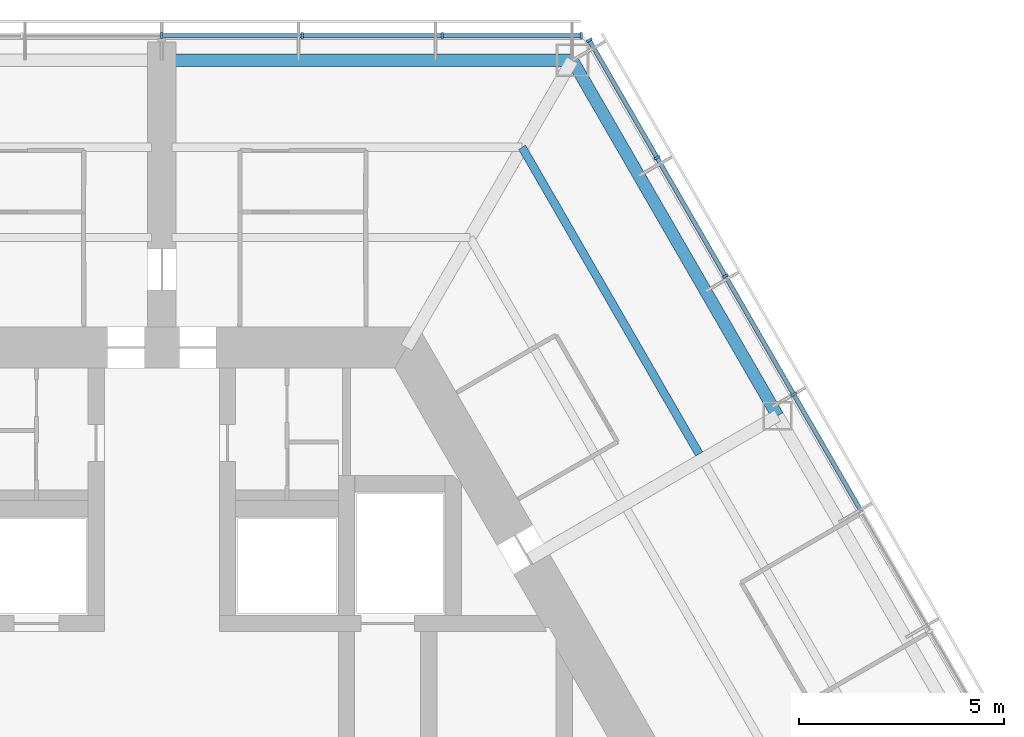
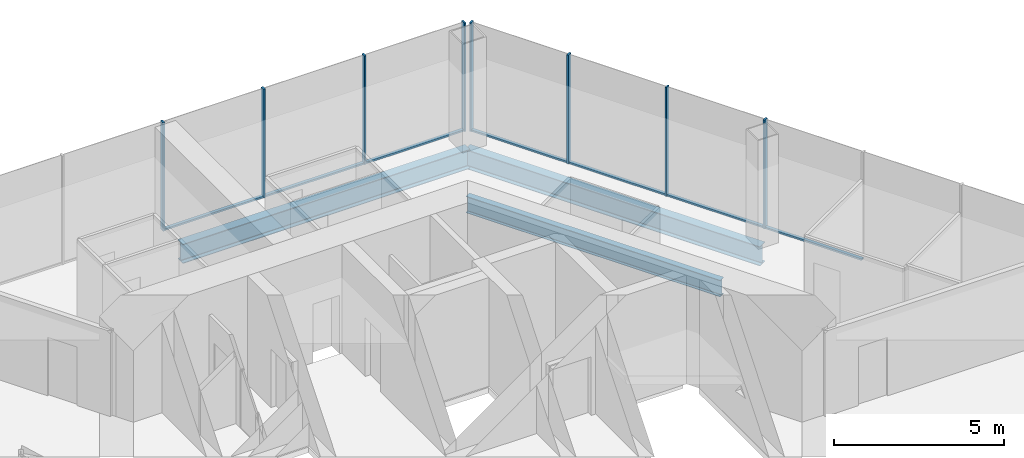
# One storey, part 8 of 18: 15 members, 3 beams, 2 elements without a shape of their own.
"""IFC4 building model written with IfcOpenShell, lengths in metres."""

from ifc_helpers import new_model, si_unit, direction, frame, origin, origin_2d, place, context, subcontext, project, spatial, rectangle, i_section, extrude, material, material_profile, profile_set, type_object, element, aggregate, save


model = new_model("IFC4")

# Units and contexts
model_context = context("Model", 3, precision=1e-05, world=origin(), true_north=direction((0.0, 1.0)))
body_context = subcontext(model_context, "Body", "Model", "MODEL_VIEW")
ifc_project = project(units=[si_unit("LENGTHUNIT", "METRE"), si_unit("AREAUNIT", "SQUARE_METRE"), si_unit("VOLUMEUNIT", "CUBIC_METRE"), si_unit("PLANEANGLEUNIT", "RADIAN"), si_unit("MASSUNIT", "GRAM", prefix="KILO")], contexts=[model_context])

# Site, building, storey
site_placement = place(None, origin())
site = spatial("IfcSite", under=ifc_project, at=site_placement, CompositionType="ELEMENT")
building_placement = place(site_placement, origin())
building = spatial("IfcBuilding", under=site, at=building_placement, Name="Kasaneha Research Tower", CompositionType="ELEMENT")
storey_placement = place(building_placement, frame((0.0, 0.0, 140.89990234375)))
storey = spatial("IfcBuildingStorey", under=building, at=storey_placement, Name="L35", CompositionType="ELEMENT", Elevation=140.89990234375)

# Beam
ifc_material_1 = material(Name="Steel SN490B", Category="steel")
ifc_material_profile_1 = material_profile(ifc_material_1, i_section(OverallWidth=0.199951171875, OverallDepth=0.60009765625, WebThickness=0.010986328125, FlangeThickness=0.01708984375, FilletRadius=0.012939453125, at=origin_2d()), Name="H-600x200x11x17")
ifc_profile_set_1 = profile_set([ifc_material_profile_1], Name="Steel SN490B")
beam_type_1 = type_object("IfcBeamType", Name="B1-3 secondary beam H-600x200x11x17", PredefinedType="JOIST", material=ifc_profile_set_1)
beam_1_placement = place(storey_placement, frame((8.775634765625, 15.199951171875, -0.449951171875), z_axis=(0.500017275495, -0.866015429543, 0.0), x_axis=(0.866015429543, 0.500017275495, 0.0)))
element("IfcBeam", 1, at=beam_1_placement, inside=storey, type_object=beam_type_1, Name="Secondary beam RS030R2 L35", PredefinedType="JOIST", context=body_context, shape_type="SweptSolid", body=[
    extrude(i_section(OverallWidth=0.199951171875, OverallDepth=0.60009765625, WebThickness=0.010986328125, FlangeThickness=0.01708984375, FilletRadius=0.012939453125, at=origin_2d()), origin(), (0.0, 0.0, 1.0), 8.625732421875),
])

# Curtain wall, members
ifc_material_2 = material(Name="Glass and aluminium", Category="aluminium")
curtain_wall_type = type_object("IfcCurtainWallType", Name="Mid-rise office curtain wall", PredefinedType="USERDEFINED", material=ifc_material_2)
curtain_wall_1_placement = place(storey_placement, origin())
curtain_wall_1 = element("IfcCurtainWall", 2, at=curtain_wall_1_placement, inside=storey, type_object=curtain_wall_type, Name="CW-O2 L35 run 06a", ObjectType="UNITISED CURTAIN WALL", PredefinedType="USERDEFINED")
ifc_material_3 = material(Name="Aluminium 6063-T6", Category="aluminium")
ifc_material_profile_2 = material_profile(ifc_material_3, rectangle(XDim=0.06005859375, YDim=0.14990234375, at=origin_2d()), Name="CW-O2 mullion 60x150")
ifc_profile_set_2 = profile_set([ifc_material_profile_2], Name="Aluminium 6063-T6")
member_type_1 = type_object("IfcMemberType", Name="CW-O2 mullion", PredefinedType="MULLION", material=ifc_profile_set_2)
member_1_placement = place(storey_placement, frame((15.392822265625, 9.179931640625, 0.0), z_axis=(0.0, 0.0, 1.0), x_axis=(-0.499999979232, 0.866025415775, 0.0)))
member_1 = element("IfcMember", 3, at=member_1_placement, type_object=member_type_1, Name="CW-O2 mullion 4", PredefinedType="MULLION", context=body_context, shape_type="SweptSolid", body=[
    extrude(rectangle(XDim=0.06005859375, YDim=0.14990234375, at=origin_2d()), origin(), (0.0, 0.0, 1.0), 3.900146484375),
])
member_2_placement = place(storey_placement, frame((13.727294921875, 12.064453125, 0.0), z_axis=(0.0, 0.0, 1.0), x_axis=(-0.499999979232, 0.866025415775, 0.0)))
member_2 = element("IfcMember", 4, at=member_2_placement, type_object=member_type_1, Name="CW-O2 mullion 5", PredefinedType="MULLION", context=body_context, shape_type="SweptSolid", body=[
    extrude(rectangle(XDim=0.06005859375, YDim=0.14990234375, at=origin_2d()), origin(), (0.0, 0.0, 1.0), 3.900146484375),
])
member_3_placement = place(storey_placement, frame((12.061767578125, 14.94921875, 0.0), z_axis=(0.0, 0.0, 1.0), x_axis=(-0.499999979232, 0.866025415775, 0.0)))
member_3 = element("IfcMember", 5, at=member_3_placement, type_object=member_type_1, Name="CW-O2 mullion 6", PredefinedType="MULLION", context=body_context, shape_type="SweptSolid", body=[
    extrude(rectangle(XDim=0.06005859375, YDim=0.14990234375, at=origin_2d()), origin(), (0.0, 0.0, 1.0), 3.900146484375),
])
member_4_placement = place(storey_placement, frame((10.411376953125, 17.807861328125, 0.0), z_axis=(0.0, 0.0, 1.0), x_axis=(-0.499999979232, 0.866025415775, 0.0)))
member_4 = element("IfcMember", 6, at=member_4_placement, type_object=member_type_1, Name="CW-O2 mullion 7", PredefinedType="MULLION", context=body_context, shape_type="SweptSolid", body=[
    extrude(rectangle(XDim=0.06005859375, YDim=0.14990234375, at=origin_2d()), origin(), (0.0, 0.0, 1.0), 3.900146484375),
])

curtain_wall_2_placement = place(storey_placement, origin())
curtain_wall_2 = element("IfcCurtainWall", 7, at=curtain_wall_2_placement, inside=storey, type_object=curtain_wall_type, Name="CW-O2 L35 run 07a", ObjectType="UNITISED CURTAIN WALL", PredefinedType="USERDEFINED")
member_5_placement = place(storey_placement, frame((10.21630859375, 17.92041015625, 0.0), z_axis=(0.0, 0.0, 1.0), x_axis=(-1.0, 0.0, 0.0)))
member_5 = element("IfcMember", 8, at=member_5_placement, type_object=member_type_1, Name="CW-O2 mullion 1", PredefinedType="MULLION", context=body_context, shape_type="SweptSolid", body=[
    extrude(rectangle(XDim=0.06005859375, YDim=0.14990234375, at=origin_2d()), origin(), (0.0, 0.0, 1.0), 3.900146484375),
])
member_6_placement = place(storey_placement, frame((6.8310546875, 17.92041015625, 0.0), z_axis=(0.0, 0.0, 1.0), x_axis=(-1.0, 0.0, 0.0)))
member_6 = element("IfcMember", 9, at=member_6_placement, type_object=member_type_1, Name="CW-O2 mullion 2", PredefinedType="MULLION", context=body_context, shape_type="SweptSolid", body=[
    extrude(rectangle(XDim=0.06005859375, YDim=0.14990234375, at=origin_2d()), origin(), (0.0, 0.0, 1.0), 3.900146484375),
])
member_7_placement = place(storey_placement, frame((3.41552734375, 17.92041015625, 0.0), z_axis=(0.0, 0.0, 1.0), x_axis=(-1.0, 0.0, 0.0)))
member_7 = element("IfcMember", 10, at=member_7_placement, type_object=member_type_1, Name="CW-O2 mullion 3", PredefinedType="MULLION", context=body_context, shape_type="SweptSolid", body=[
    extrude(rectangle(XDim=0.06005859375, YDim=0.14990234375, at=origin_2d()), origin(), (0.0, 0.0, 1.0), 3.900146484375),
])
member_8_placement = place(storey_placement, frame((0.0, 17.92041015625, 0.0), z_axis=(0.0, 0.0, 1.0), x_axis=(-1.0, 0.0, 0.0)))
member_8 = element("IfcMember", 11, at=member_8_placement, type_object=member_type_1, Name="CW-O2 mullion 4", PredefinedType="MULLION", context=body_context, shape_type="SweptSolid", body=[
    extrude(rectangle(XDim=0.06005859375, YDim=0.14990234375, at=origin_2d()), origin(), (0.0, 0.0, 1.0), 3.900146484375),
])

# Member
ifc_material_4 = material(Name="Aluminium 6063-T6", Category="aluminium")
ifc_material_profile_3 = material_profile(ifc_material_4, rectangle(XDim=0.110107421875, YDim=0.06005859375, at=origin_2d()), Name="CW-O2 transom 110x60")
ifc_profile_set_3 = profile_set([ifc_material_profile_3], Name="Aluminium 6063-T6")
member_type_2 = type_object("IfcMemberType", Name="CW-O2 transom", PredefinedType="USERDEFINED", material=ifc_profile_set_3)
member_9_placement = place(storey_placement, frame((17.043212890625, 6.3212890625, 0.030029296875), z_axis=(-0.50003259116, 0.866006586452, 0.0), x_axis=(-0.866006586452, -0.50003259116, 0.0)))
member_9 = element("IfcMember", 12, at=member_9_placement, type_object=member_type_2, Name="CW-O2 transom 3", ObjectType="TRANSOM", PredefinedType="USERDEFINED", context=body_context, shape_type="SweptSolid", body=[
    extrude(rectangle(XDim=0.110107421875, YDim=0.06005859375, at=origin_2d()), origin(), (0.0, 0.0, 1.0), 3.270751953125),
])

member_10_placement = place(storey_placement, frame((15.3779296875, 9.205810546875, 0.030029296875), z_axis=(-0.500000270186, 0.866025247793, 0.0), x_axis=(-0.866025247793, -0.500000270186, 0.0)))
member_10 = element("IfcMember", 13, at=member_10_placement, type_object=member_type_2, Name="CW-O2 transom 4", ObjectType="TRANSOM", PredefinedType="USERDEFINED", context=body_context, shape_type="SweptSolid", body=[
    extrude(rectangle(XDim=0.110107421875, YDim=0.06005859375, at=origin_2d()), origin(), (0.0, 0.0, 1.0), 3.27099609375),
])

member_11_placement = place(storey_placement, frame((13.71240234375, 12.090576171875, 0.030029296875), z_axis=(-0.500000270186, 0.866025247793, 0.0), x_axis=(-0.866025247793, -0.500000270186, 0.0)))
member_11 = element("IfcMember", 14, at=member_11_placement, type_object=member_type_2, Name="CW-O2 transom 5", ObjectType="TRANSOM", PredefinedType="USERDEFINED", context=body_context, shape_type="SweptSolid", body=[
    extrude(rectangle(XDim=0.110107421875, YDim=0.06005859375, at=origin_2d()), origin(), (0.0, 0.0, 1.0), 3.27099609375),
])

member_12_placement = place(storey_placement, frame((12.046875, 14.97509765625, 0.030029296875), z_axis=(-0.499955025697, 0.866051368154, 0.0), x_axis=(-0.866051368154, -0.499955025697, 0.0)))
member_12 = element("IfcMember", 15, at=member_12_placement, type_object=member_type_2, Name="CW-O2 transom 6", ObjectType="TRANSOM", PredefinedType="USERDEFINED", context=body_context, shape_type="SweptSolid", body=[
    extrude(rectangle(XDim=0.110107421875, YDim=0.06005859375, at=origin_2d()), origin(), (0.0, 0.0, 1.0), 3.240966796875),
])

aggregate(curtain_wall_1, [member_1, member_2, member_3, member_4, member_9, member_10, member_11, member_12])

member_13_placement = place(storey_placement, frame((10.1865234375, 17.92041015625, 0.030029296875), z_axis=(-1.0, 0.0, 0.0), x_axis=(0.0, -1.0, 0.0)))
member_13 = element("IfcMember", 16, at=member_13_placement, type_object=member_type_2, Name="CW-O2 transom 1", ObjectType="TRANSOM", PredefinedType="USERDEFINED", context=body_context, shape_type="SweptSolid", body=[
    extrude(rectangle(XDim=0.110107421875, YDim=0.06005859375, at=origin_2d()), origin(), (0.0, 0.0, 1.0), 3.32568359375),
])

member_14_placement = place(storey_placement, frame((6.801025390625, 17.92041015625, 0.030029296875), z_axis=(-1.0, 0.0, 0.0), x_axis=(0.0, -1.0, 0.0)))
member_14 = element("IfcMember", 17, at=member_14_placement, type_object=member_type_2, Name="CW-O2 transom 2", ObjectType="TRANSOM", PredefinedType="USERDEFINED", context=body_context, shape_type="SweptSolid", body=[
    extrude(rectangle(XDim=0.110107421875, YDim=0.06005859375, at=origin_2d()), origin(), (0.0, 0.0, 1.0), 3.35546875),
])

member_15_placement = place(storey_placement, frame((3.385498046875, 17.92041015625, 0.030029296875), z_axis=(-1.0, 0.0, 0.0), x_axis=(0.0, -1.0, 0.0)))
member_15 = element("IfcMember", 18, at=member_15_placement, type_object=member_type_2, Name="CW-O2 transom 3", ObjectType="TRANSOM", PredefinedType="USERDEFINED", context=body_context, shape_type="SweptSolid", body=[
    extrude(rectangle(XDim=0.110107421875, YDim=0.06005859375, at=origin_2d()), origin(), (0.0, 0.0, 1.0), 3.35546875),
])

aggregate(curtain_wall_2, [member_5, member_6, member_7, member_8, member_13, member_14, member_15])

# Beams
ifc_material_5 = material(Name="Steel SN490B", Category="steel")
ifc_material_profile_4 = material_profile(ifc_material_5, i_section(OverallWidth=0.300048828125, OverallDepth=0.69189453125, WebThickness=0.012939453125, FlangeThickness=0.02001953125, FilletRadius=0.01806640625, at=origin_2d()), Name="H-692x300x13x20")
ifc_profile_set_4 = profile_set([ifc_material_profile_4], Name="Steel SN490B")
beam_type_2 = type_object("IfcBeamType", Name="G3-3 plate edge girder H-692x300x13x20", PredefinedType="BEAM", material=ifc_profile_set_4)
beam_2_placement = place(storey_placement, frame((10.0, 17.320556640625, -0.495849609375), z_axis=(-1.0, 0.0, 0.0), x_axis=(0.0, -1.0, 0.0)))
element("IfcBeam", 19, at=beam_2_placement, inside=storey, type_object=beam_type_2, Name="Plate edge girder PEAP L35", PredefinedType="BEAM", context=body_context, shape_type="SweptSolid", body=[
    extrude(i_section(OverallWidth=0.300048828125, OverallDepth=0.69189453125, WebThickness=0.012939453125, FlangeThickness=0.02001953125, FilletRadius=0.01806640625, at=origin_2d()), origin(), (0.0, 0.0, 1.0), 9.75),
])
ifc_material_6 = material(Name="Steel SN490B", Category="steel")
ifc_material_profile_5 = material_profile(ifc_material_6, i_section(OverallWidth=0.300048828125, OverallDepth=0.69189453125, WebThickness=0.012939453125, FlangeThickness=0.02001953125, FilletRadius=0.01806640625, at=origin_2d()), Name="H-692x300x13x20")
ifc_profile_set_5 = profile_set([ifc_material_profile_5], Name="Steel SN490B")
beam_type_3 = type_object("IfcBeamType", Name="SB1-3 spandrel beam H-692x300x13x20", PredefinedType="SPANDREL", material=ifc_profile_set_5)
beam_3_placement = place(storey_placement, frame((10.0, 17.320556640625, -0.495849609375), z_axis=(0.499993662806, -0.866029062534, 0.0), x_axis=(0.866029062534, 0.499993662806, 0.0)))
element("IfcBeam", 20, at=beam_3_placement, inside=storey, type_object=beam_type_3, Name="Spandrel beam SR030R L35", PredefinedType="SPANDREL", context=body_context, shape_type="SweptSolid", body=[
    extrude(i_section(OverallWidth=0.300048828125, OverallDepth=0.69189453125, WebThickness=0.012939453125, FlangeThickness=0.02001953125, FilletRadius=0.01806640625, at=origin_2d()), origin(), (0.0, 0.0, 1.0), 10.000244140625),
])

save(model, "model.ifc")
